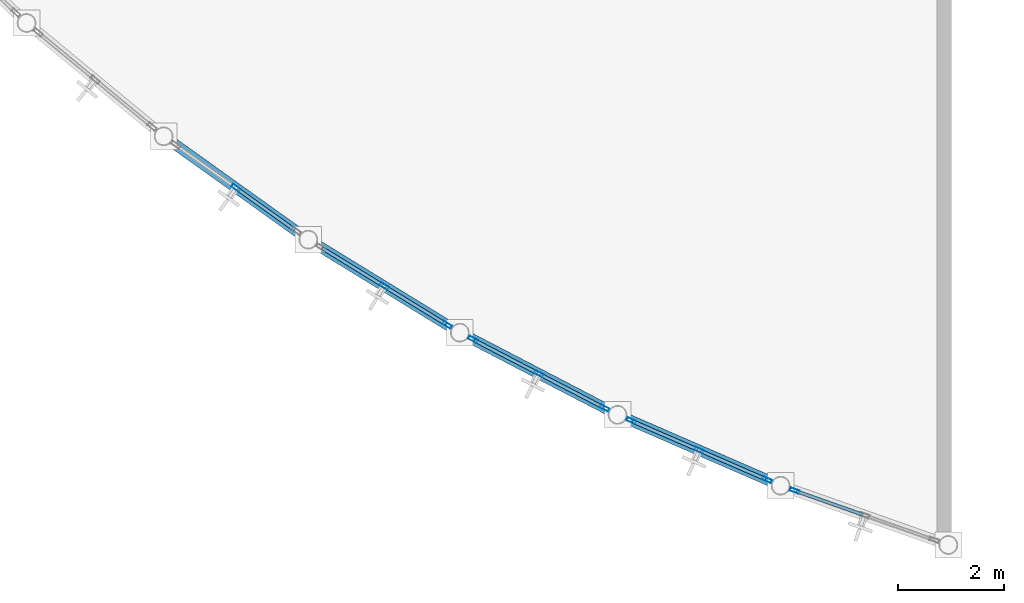
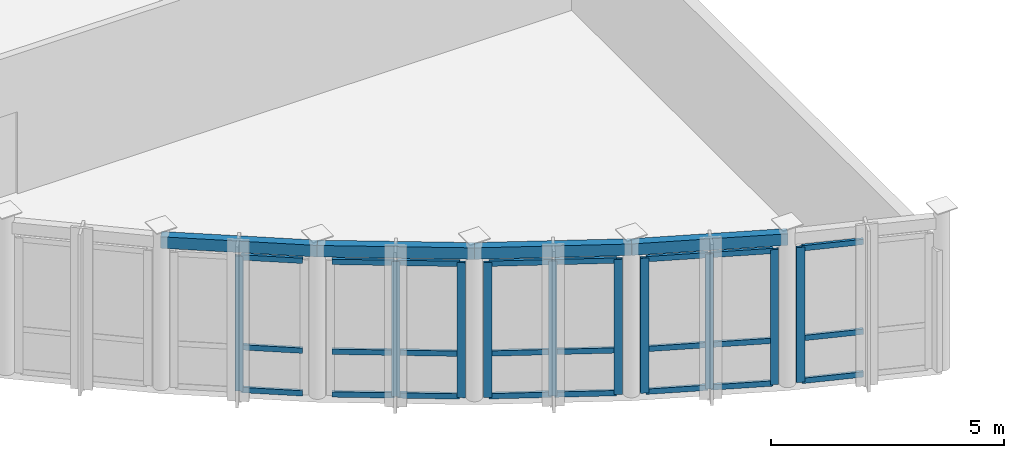
# One storey, part 6 of 26: 34 members, 4 beams, 5 elements without a shape of their own.
"""IFC4 building model written with IfcOpenShell, lengths in metres."""

from ifc_helpers import new_model, si_unit, direction, frame, origin, origin_2d, place, context, subcontext, project, spatial, hollow_rectangle, extrude, material, layer, layer_set, material_profile, profile_set, type_object, element, aggregate, save


model = new_model("IFC4")

# Units and contexts
model_context = context("Model", 3, precision=1e-05, world=origin(), true_north=direction((0.0, 1.0)))
body_context = subcontext(model_context, "Body", "Model", "MODEL_VIEW")
ifc_project = project(units=[si_unit("LENGTHUNIT", "METRE"), si_unit("AREAUNIT", "SQUARE_METRE"), si_unit("VOLUMEUNIT", "CUBIC_METRE"), si_unit("PLANEANGLEUNIT", "RADIAN"), si_unit("MASSUNIT", "GRAM", prefix="KILO")], contexts=[model_context])

# Site, building, storey
site_placement = place(None, origin())
site = spatial("IfcSite", under=ifc_project, at=site_placement, CompositionType="ELEMENT")
building_placement = place(site_placement, origin())
building = spatial("IfcBuilding", under=site, at=building_placement, Name="Selat Folded Stagehouse", CompositionType="ELEMENT")
storey_placement = place(building_placement, frame((0.0, 0.0, 23.39990234375)))
storey = spatial("IfcBuildingStorey", under=building, at=storey_placement, Name="L05", CompositionType="ELEMENT", Elevation=23.39990234375)

# Curtain wall, member
ifc_material_1 = material(Name="Aluminium 6063-T6", Category="aluminium")
ifc_layer = layer(ifc_material_1, 0.18505859375)
ifc_layer_set = layer_set([ifc_layer], Name="Aluminium 6063-T6")
curtain_wall_type = type_object("IfcCurtainWallType", Name="CW-DRM-UPPER", PredefinedType="NOTDEFINED", material=ifc_layer_set)
curtain_wall_1_placement = place(storey_placement, origin())
curtain_wall_1 = element("IfcCurtainWall", 1, at=curtain_wall_1_placement, inside=storey, type_object=curtain_wall_type, Name="L05 curtain wall CW-DRM-L05-15", PredefinedType="NOTDEFINED")
ifc_material_profile_1 = material_profile(ifc_material_1, hollow_rectangle(XDim=0.06494140625, YDim=0.179931640625, WallThickness=0.00390625, at=origin_2d()), Name="ALU 180x65x4.0")
ifc_profile_set_1 = profile_set([ifc_material_profile_1], Name="Aluminium 6063-T6")
member_type_1 = type_object("IfcMemberType", Name="CWM-MUL-180x65", PredefinedType="MULLION", material=ifc_profile_set_1)
member_1_placement = place(storey_placement, frame((20.10400390625, 8.974609375, 0.0), z_axis=(0.0, 0.0, 1.0), x_axis=(-0.581528304836, -0.813526170861, 0.0)))
member_1 = element("IfcMember", 2, at=member_1_placement, type_object=member_type_1, Name="CW-03 mullion 2", PredefinedType="MULLION", context=body_context, shape_type="SweptSolid", body=[
    extrude(hollow_rectangle(XDim=0.06494140625, YDim=0.179931640625, WallThickness=0.00390625, at=origin_2d()), origin(), (0.0, 0.0, 1.0), 3.53515625),
])

# Curtain wall, members
curtain_wall_2_placement = place(storey_placement, origin())
curtain_wall_2 = element("IfcCurtainWall", 3, at=curtain_wall_2_placement, inside=storey, type_object=curtain_wall_type, Name="L05 curtain wall CW-DRM-L05-16", PredefinedType="NOTDEFINED")
member_2_placement = place(storey_placement, frame((24.10498046875, 6.380859375, 0.0), z_axis=(0.0, 0.0, 1.0), x_axis=(-0.523025427755, -0.852317078277, 0.0)))
member_2 = element("IfcMember", 4, at=member_2_placement, type_object=member_type_1, Name="CW-03 mullion 1", PredefinedType="MULLION", context=body_context, shape_type="SweptSolid", body=[
    extrude(hollow_rectangle(XDim=0.06494140625, YDim=0.179931640625, WallThickness=0.00390625, at=origin_2d()), origin(), (0.0, 0.0, 1.0), 3.53515625),
])
member_3_placement = place(storey_placement, frame((22.91015625, 7.114013671875, 0.0), z_axis=(0.0, 0.0, 1.0), x_axis=(-0.523025427755, -0.852317078277, 0.0)))
member_3 = element("IfcMember", 5, at=member_3_placement, type_object=member_type_1, Name="CW-03 mullion 2", PredefinedType="MULLION", context=body_context, shape_type="SweptSolid", body=[
    extrude(hollow_rectangle(XDim=0.06494140625, YDim=0.179931640625, WallThickness=0.00390625, at=origin_2d()), origin(), (0.0, 0.0, 1.0), 3.53515625),
])

curtain_wall_3_placement = place(storey_placement, origin())
curtain_wall_3 = element("IfcCurtainWall", 6, at=curtain_wall_3_placement, inside=storey, type_object=curtain_wall_type, Name="L05 curtain wall CW-DRM-L05-17", PredefinedType="NOTDEFINED")
member_4_placement = place(storey_placement, frame((27.083251953125, 4.80712890625, 0.0), z_axis=(0.0, 0.0, 1.0), x_axis=(-0.461930991659, -0.886915869147, 0.0)))
member_4 = element("IfcMember", 7, at=member_4_placement, type_object=member_type_1, Name="CW-03 mullion 1", PredefinedType="MULLION", context=body_context, shape_type="SweptSolid", body=[
    extrude(hollow_rectangle(XDim=0.06494140625, YDim=0.179931640625, WallThickness=0.00390625, at=origin_2d()), origin(), (0.0, 0.0, 1.0), 3.53515625),
])
member_5_placement = place(storey_placement, frame((25.83984375, 5.454833984375, 0.0), z_axis=(0.0, 0.0, 1.0), x_axis=(-0.461930991659, -0.886915869147, 0.0)))
member_5 = element("IfcMember", 8, at=member_5_placement, type_object=member_type_1, Name="CW-03 mullion 2", PredefinedType="MULLION", context=body_context, shape_type="SweptSolid", body=[
    extrude(hollow_rectangle(XDim=0.06494140625, YDim=0.179931640625, WallThickness=0.00390625, at=origin_2d()), origin(), (0.0, 0.0, 1.0), 3.53515625),
])
member_6_placement = place(storey_placement, frame((24.596435546875, 6.1025390625, 0.0), z_axis=(0.0, 0.0, 1.0), x_axis=(-0.461930991659, -0.886915869147, 0.0)))
member_6 = element("IfcMember", 9, at=member_6_placement, type_object=member_type_1, Name="CW-03 mullion 3", PredefinedType="MULLION", context=body_context, shape_type="SweptSolid", body=[
    extrude(hollow_rectangle(XDim=0.06494140625, YDim=0.179931640625, WallThickness=0.00390625, at=origin_2d()), origin(), (0.0, 0.0, 1.0), 3.53515625),
])

curtain_wall_4_placement = place(storey_placement, origin())
curtain_wall_4 = element("IfcCurtainWall", 10, at=curtain_wall_4_placement, inside=storey, type_object=curtain_wall_type, Name="L05 curtain wall CW-DRM-L05-18", PredefinedType="NOTDEFINED")
member_7_placement = place(storey_placement, frame((30.16455078125, 3.446533203125, 0.0), z_axis=(0.0, 0.0, 1.0), x_axis=(-0.39857953336, -0.917133771915, 0.0)))
member_7 = element("IfcMember", 11, at=member_7_placement, type_object=member_type_1, Name="CW-03 mullion 1", PredefinedType="MULLION", context=body_context, shape_type="SweptSolid", body=[
    extrude(hollow_rectangle(XDim=0.06494140625, YDim=0.179931640625, WallThickness=0.00390625, at=origin_2d()), origin(), (0.0, 0.0, 1.0), 3.53515625),
])
member_8_placement = place(storey_placement, frame((28.878662109375, 4.00537109375, 0.0), z_axis=(0.0, 0.0, 1.0), x_axis=(-0.39857953336, -0.917133771915, 0.0)))
member_8 = element("IfcMember", 12, at=member_8_placement, type_object=member_type_1, Name="CW-03 mullion 2", PredefinedType="MULLION", context=body_context, shape_type="SweptSolid", body=[
    extrude(hollow_rectangle(XDim=0.06494140625, YDim=0.179931640625, WallThickness=0.00390625, at=origin_2d()), origin(), (0.0, 0.0, 1.0), 3.53515625),
])
member_9_placement = place(storey_placement, frame((27.593017578125, 4.56396484375, 0.0), z_axis=(0.0, 0.0, 1.0), x_axis=(-0.39857953336, -0.917133771915, 0.0)))
member_9 = element("IfcMember", 13, at=member_9_placement, type_object=member_type_1, Name="CW-03 mullion 3", PredefinedType="MULLION", context=body_context, shape_type="SweptSolid", body=[
    extrude(hollow_rectangle(XDim=0.06494140625, YDim=0.179931640625, WallThickness=0.00390625, at=origin_2d()), origin(), (0.0, 0.0, 1.0), 3.53515625),
])

# Curtain wall, member
curtain_wall_5_placement = place(storey_placement, origin())
curtain_wall_5 = element("IfcCurtainWall", 14, at=curtain_wall_5_placement, inside=storey, type_object=curtain_wall_type, Name="L05 curtain wall CW-DRM-L05-19", PredefinedType="NOTDEFINED")
member_10_placement = place(storey_placement, frame((30.68994140625, 3.23974609375, 0.0), z_axis=(0.0, 0.0, 1.0), x_axis=(-0.333314148838, -0.942815824106, 0.0)))
member_10 = element("IfcMember", 15, at=member_10_placement, type_object=member_type_1, Name="CW-03 mullion 3", PredefinedType="MULLION", context=body_context, shape_type="SweptSolid", body=[
    extrude(hollow_rectangle(XDim=0.06494140625, YDim=0.179931640625, WallThickness=0.00390625, at=origin_2d()), origin(), (0.0, 0.0, 1.0), 3.53515625),
])

# Member
ifc_material_profile_2 = material_profile(ifc_material_1, hollow_rectangle(XDim=0.06494140625, YDim=0.139892578125, WallThickness=0.00390625, at=origin_2d()), Name="ALU 140x65x4.0")
ifc_profile_set_2 = profile_set([ifc_material_profile_2], Name="Aluminium 6063-T6")
member_type_2 = type_object("IfcMemberType", Name="CWM-TRN-140x65", PredefinedType="USERDEFINED", material=ifc_profile_set_2)
member_11_placement = place(storey_placement, frame((21.218017578125, 8.17822265625, 0.03271484375), z_axis=(-0.813486640015, 0.581583602345, 0.0), x_axis=(-0.581583602345, -0.813486640015, 0.0)))
member_11 = element("IfcMember", 16, at=member_11_placement, type_object=member_type_2, Name="CW-03 transom 1.1", ObjectType="TRANSOM", PredefinedType="USERDEFINED", context=body_context, shape_type="SweptSolid", body=[
    extrude(hollow_rectangle(XDim=0.06494140625, YDim=0.139892578125, WallThickness=0.00390625, at=origin_2d()), origin(), (0.0, 0.0, 1.0), 1.3369140625),
])

member_12_placement = place(storey_placement, frame((21.218017578125, 8.17822265625, 1.150146484375), z_axis=(-0.813486640015, 0.581583602345, 0.0), x_axis=(-0.581583602345, -0.813486640015, 0.0)))
member_12 = element("IfcMember", 17, at=member_12_placement, type_object=member_type_2, Name="CW-03 transom 1.2", ObjectType="TRANSOM", PredefinedType="USERDEFINED", context=body_context, shape_type="SweptSolid", body=[
    extrude(hollow_rectangle(XDim=0.06494140625, YDim=0.139892578125, WallThickness=0.00390625, at=origin_2d()), origin(), (0.0, 0.0, 1.0), 1.3369140625),
])

member_13_placement = place(storey_placement, frame((21.218017578125, 8.17822265625, 3.502685546875), z_axis=(-0.813486640015, 0.581583602345, 0.0), x_axis=(-0.581583602345, -0.813486640015, 0.0)))
member_13 = element("IfcMember", 18, at=member_13_placement, type_object=member_type_2, Name="CW-03 transom 1.3", ObjectType="TRANSOM", PredefinedType="USERDEFINED", context=body_context, shape_type="SweptSolid", body=[
    extrude(hollow_rectangle(XDim=0.06494140625, YDim=0.139892578125, WallThickness=0.00390625, at=origin_2d()), origin(), (0.0, 0.0, 1.0), 1.3369140625),
])

aggregate(curtain_wall_1, [member_1, member_11, member_12, member_13])

member_14_placement = place(storey_placement, frame((24.077392578125, 6.397705078125, 0.03271484375), z_axis=(-0.852278331158, 0.523088564432, 0.0), x_axis=(-0.523088564432, -0.852278331158, 0.0)))
member_14 = element("IfcMember", 19, at=member_14_placement, type_object=member_type_2, Name="CW-03 transom 1.1", ObjectType="TRANSOM", PredefinedType="USERDEFINED", context=body_context, shape_type="SweptSolid", body=[
    extrude(hollow_rectangle(XDim=0.06494140625, YDim=0.139892578125, WallThickness=0.00390625, at=origin_2d()), origin(), (0.0, 0.0, 1.0), 1.337158203125),
])

member_15_placement = place(storey_placement, frame((24.077392578125, 6.397705078125, 1.150146484375), z_axis=(-0.852278331158, 0.523088564432, 0.0), x_axis=(-0.523088564432, -0.852278331158, 0.0)))
member_15 = element("IfcMember", 20, at=member_15_placement, type_object=member_type_2, Name="CW-03 transom 1.2", ObjectType="TRANSOM", PredefinedType="USERDEFINED", context=body_context, shape_type="SweptSolid", body=[
    extrude(hollow_rectangle(XDim=0.06494140625, YDim=0.139892578125, WallThickness=0.00390625, at=origin_2d()), origin(), (0.0, 0.0, 1.0), 1.337158203125),
])

member_16_placement = place(storey_placement, frame((24.077392578125, 6.397705078125, 3.502685546875), z_axis=(-0.852278331158, 0.523088564432, 0.0), x_axis=(-0.523088564432, -0.852278331158, 0.0)))
member_16 = element("IfcMember", 21, at=member_16_placement, type_object=member_type_2, Name="CW-03 transom 1.3", ObjectType="TRANSOM", PredefinedType="USERDEFINED", context=body_context, shape_type="SweptSolid", body=[
    extrude(hollow_rectangle(XDim=0.06494140625, YDim=0.139892578125, WallThickness=0.00390625, at=origin_2d()), origin(), (0.0, 0.0, 1.0), 1.337158203125),
])

member_17_placement = place(storey_placement, frame((22.88232421875, 7.131103515625, 0.03271484375), z_axis=(-0.852309776762, 0.523037326044, 0.0), x_axis=(-0.523037326044, -0.852309776762, 0.0)))
member_17 = element("IfcMember", 22, at=member_17_placement, type_object=member_type_2, Name="CW-03 transom 2.1", ObjectType="TRANSOM", PredefinedType="USERDEFINED", context=body_context, shape_type="SweptSolid", body=[
    extrude(hollow_rectangle(XDim=0.06494140625, YDim=0.139892578125, WallThickness=0.00390625, at=origin_2d()), origin(), (0.0, 0.0, 1.0), 1.3369140625),
])

member_18_placement = place(storey_placement, frame((22.88232421875, 7.131103515625, 1.150146484375), z_axis=(-0.852309776762, 0.523037326044, 0.0), x_axis=(-0.523037326044, -0.852309776762, 0.0)))
member_18 = element("IfcMember", 23, at=member_18_placement, type_object=member_type_2, Name="CW-03 transom 2.2", ObjectType="TRANSOM", PredefinedType="USERDEFINED", context=body_context, shape_type="SweptSolid", body=[
    extrude(hollow_rectangle(XDim=0.06494140625, YDim=0.139892578125, WallThickness=0.00390625, at=origin_2d()), origin(), (0.0, 0.0, 1.0), 1.3369140625),
])

member_19_placement = place(storey_placement, frame((22.88232421875, 7.131103515625, 3.502685546875), z_axis=(-0.852309776762, 0.523037326044, 0.0), x_axis=(-0.523037326044, -0.852309776762, 0.0)))
member_19 = element("IfcMember", 24, at=member_19_placement, type_object=member_type_2, Name="CW-03 transom 2.3", ObjectType="TRANSOM", PredefinedType="USERDEFINED", context=body_context, shape_type="SweptSolid", body=[
    extrude(hollow_rectangle(XDim=0.06494140625, YDim=0.139892578125, WallThickness=0.00390625, at=origin_2d()), origin(), (0.0, 0.0, 1.0), 1.3369140625),
])

aggregate(curtain_wall_2, [member_2, member_3, member_14, member_15, member_16, member_17, member_18, member_19])

member_20_placement = place(storey_placement, frame((27.054443359375, 4.822265625, 0.03271484375), z_axis=(-0.886890704679, 0.461979304681, 0.0), x_axis=(-0.461979304681, -0.886890704679, 0.0)))
member_20 = element("IfcMember", 25, at=member_20_placement, type_object=member_type_2, Name="CW-03 transom 1.1", ObjectType="TRANSOM", PredefinedType="USERDEFINED", context=body_context, shape_type="SweptSolid", body=[
    extrude(hollow_rectangle(XDim=0.06494140625, YDim=0.139892578125, WallThickness=0.00390625, at=origin_2d()), origin(), (0.0, 0.0, 1.0), 1.3369140625),
])

member_21_placement = place(storey_placement, frame((27.054443359375, 4.822265625, 1.150146484375), z_axis=(-0.886890704679, 0.461979304681, 0.0), x_axis=(-0.461979304681, -0.886890704679, 0.0)))
member_21 = element("IfcMember", 26, at=member_21_placement, type_object=member_type_2, Name="CW-03 transom 1.2", ObjectType="TRANSOM", PredefinedType="USERDEFINED", context=body_context, shape_type="SweptSolid", body=[
    extrude(hollow_rectangle(XDim=0.06494140625, YDim=0.139892578125, WallThickness=0.00390625, at=origin_2d()), origin(), (0.0, 0.0, 1.0), 1.3369140625),
])

member_22_placement = place(storey_placement, frame((27.054443359375, 4.822265625, 3.502685546875), z_axis=(-0.886890704679, 0.461979304681, 0.0), x_axis=(-0.461979304681, -0.886890704679, 0.0)))
member_22 = element("IfcMember", 27, at=member_22_placement, type_object=member_type_2, Name="CW-03 transom 1.3", ObjectType="TRANSOM", PredefinedType="USERDEFINED", context=body_context, shape_type="SweptSolid", body=[
    extrude(hollow_rectangle(XDim=0.06494140625, YDim=0.139892578125, WallThickness=0.00390625, at=origin_2d()), origin(), (0.0, 0.0, 1.0), 1.3369140625),
])

member_23_placement = place(storey_placement, frame((25.81103515625, 5.469970703125, 0.03271484375), z_axis=(-0.886965515382, 0.461835657484, 0.0), x_axis=(-0.461835657484, -0.886965515382, 0.0)))
member_23 = element("IfcMember", 28, at=member_23_placement, type_object=member_type_2, Name="CW-03 transom 2.1", ObjectType="TRANSOM", PredefinedType="USERDEFINED", context=body_context, shape_type="SweptSolid", body=[
    extrude(hollow_rectangle(XDim=0.06494140625, YDim=0.139892578125, WallThickness=0.00390625, at=origin_2d()), origin(), (0.0, 0.0, 1.0), 1.3369140625),
])

member_24_placement = place(storey_placement, frame((25.81103515625, 5.469970703125, 1.150146484375), z_axis=(-0.886965515382, 0.461835657484, 0.0), x_axis=(-0.461835657484, -0.886965515382, 0.0)))
member_24 = element("IfcMember", 29, at=member_24_placement, type_object=member_type_2, Name="CW-03 transom 2.2", ObjectType="TRANSOM", PredefinedType="USERDEFINED", context=body_context, shape_type="SweptSolid", body=[
    extrude(hollow_rectangle(XDim=0.06494140625, YDim=0.139892578125, WallThickness=0.00390625, at=origin_2d()), origin(), (0.0, 0.0, 1.0), 1.3369140625),
])

member_25_placement = place(storey_placement, frame((25.81103515625, 5.469970703125, 3.502685546875), z_axis=(-0.886965515382, 0.461835657484, 0.0), x_axis=(-0.461835657484, -0.886965515382, 0.0)))
member_25 = element("IfcMember", 30, at=member_25_placement, type_object=member_type_2, Name="CW-03 transom 2.3", ObjectType="TRANSOM", PredefinedType="USERDEFINED", context=body_context, shape_type="SweptSolid", body=[
    extrude(hollow_rectangle(XDim=0.06494140625, YDim=0.139892578125, WallThickness=0.00390625, at=origin_2d()), origin(), (0.0, 0.0, 1.0), 1.3369140625),
])

aggregate(curtain_wall_3, [member_4, member_5, member_6, member_20, member_21, member_22, member_23, member_24, member_25])

member_26_placement = place(storey_placement, frame((30.134765625, 3.45947265625, 0.03271484375), z_axis=(-0.917197741819, 0.398432305922, 0.0), x_axis=(-0.398432305922, -0.917197741819, 0.0)))
member_26 = element("IfcMember", 31, at=member_26_placement, type_object=member_type_2, Name="CW-03 transom 1.1", ObjectType="TRANSOM", PredefinedType="USERDEFINED", context=body_context, shape_type="SweptSolid", body=[
    extrude(hollow_rectangle(XDim=0.06494140625, YDim=0.139892578125, WallThickness=0.00390625, at=origin_2d()), origin(), (0.0, 0.0, 1.0), 1.3369140625),
])

member_27_placement = place(storey_placement, frame((30.134765625, 3.45947265625, 1.150146484375), z_axis=(-0.917197741819, 0.398432305922, 0.0), x_axis=(-0.398432305922, -0.917197741819, 0.0)))
member_27 = element("IfcMember", 32, at=member_27_placement, type_object=member_type_2, Name="CW-03 transom 1.2", ObjectType="TRANSOM", PredefinedType="USERDEFINED", context=body_context, shape_type="SweptSolid", body=[
    extrude(hollow_rectangle(XDim=0.06494140625, YDim=0.139892578125, WallThickness=0.00390625, at=origin_2d()), origin(), (0.0, 0.0, 1.0), 1.3369140625),
])

member_28_placement = place(storey_placement, frame((30.134765625, 3.45947265625, 3.502685546875), z_axis=(-0.917197741819, 0.398432305922, 0.0), x_axis=(-0.398432305922, -0.917197741819, 0.0)))
member_28 = element("IfcMember", 33, at=member_28_placement, type_object=member_type_2, Name="CW-03 transom 1.3", ObjectType="TRANSOM", PredefinedType="USERDEFINED", context=body_context, shape_type="SweptSolid", body=[
    extrude(hollow_rectangle(XDim=0.06494140625, YDim=0.139892578125, WallThickness=0.00390625, at=origin_2d()), origin(), (0.0, 0.0, 1.0), 1.3369140625),
])

member_29_placement = place(storey_placement, frame((28.848876953125, 4.018310546875, 0.03271484375), z_axis=(-0.91716874716, 0.398499045461, 0.0), x_axis=(-0.398499045461, -0.91716874716, 0.0)))
member_29 = element("IfcMember", 34, at=member_29_placement, type_object=member_type_2, Name="CW-03 transom 2.1", ObjectType="TRANSOM", PredefinedType="USERDEFINED", context=body_context, shape_type="SweptSolid", body=[
    extrude(hollow_rectangle(XDim=0.06494140625, YDim=0.139892578125, WallThickness=0.00390625, at=origin_2d()), origin(), (0.0, 0.0, 1.0), 1.3369140625),
])

member_30_placement = place(storey_placement, frame((28.848876953125, 4.018310546875, 1.150146484375), z_axis=(-0.91716874716, 0.398499045461, 0.0), x_axis=(-0.398499045461, -0.91716874716, 0.0)))
member_30 = element("IfcMember", 35, at=member_30_placement, type_object=member_type_2, Name="CW-03 transom 2.2", ObjectType="TRANSOM", PredefinedType="USERDEFINED", context=body_context, shape_type="SweptSolid", body=[
    extrude(hollow_rectangle(XDim=0.06494140625, YDim=0.139892578125, WallThickness=0.00390625, at=origin_2d()), origin(), (0.0, 0.0, 1.0), 1.3369140625),
])

member_31_placement = place(storey_placement, frame((28.848876953125, 4.018310546875, 3.502685546875), z_axis=(-0.91716874716, 0.398499045461, 0.0), x_axis=(-0.398499045461, -0.91716874716, 0.0)))
member_31 = element("IfcMember", 36, at=member_31_placement, type_object=member_type_2, Name="CW-03 transom 2.3", ObjectType="TRANSOM", PredefinedType="USERDEFINED", context=body_context, shape_type="SweptSolid", body=[
    extrude(hollow_rectangle(XDim=0.06494140625, YDim=0.139892578125, WallThickness=0.00390625, at=origin_2d()), origin(), (0.0, 0.0, 1.0), 1.3369140625),
])

aggregate(curtain_wall_4, [member_7, member_8, member_9, member_26, member_27, member_28, member_29, member_30, member_31])

member_32_placement = place(storey_placement, frame((31.981201171875, 2.783203125, 0.03271484375), z_axis=(-0.942831774674, 0.333269027461, 0.0), x_axis=(-0.333269027461, -0.942831774674, 0.0)))
member_32 = element("IfcMember", 37, at=member_32_placement, type_object=member_type_2, Name="CW-03 transom 2.1", ObjectType="TRANSOM", PredefinedType="USERDEFINED", context=body_context, shape_type="SweptSolid", body=[
    extrude(hollow_rectangle(XDim=0.06494140625, YDim=0.139892578125, WallThickness=0.00390625, at=origin_2d()), origin(), (0.0, 0.0, 1.0), 1.3369140625),
])

member_33_placement = place(storey_placement, frame((31.981201171875, 2.783203125, 1.150146484375), z_axis=(-0.942831774674, 0.333269027461, 0.0), x_axis=(-0.333269027461, -0.942831774674, 0.0)))
member_33 = element("IfcMember", 38, at=member_33_placement, type_object=member_type_2, Name="CW-03 transom 2.2", ObjectType="TRANSOM", PredefinedType="USERDEFINED", context=body_context, shape_type="SweptSolid", body=[
    extrude(hollow_rectangle(XDim=0.06494140625, YDim=0.139892578125, WallThickness=0.00390625, at=origin_2d()), origin(), (0.0, 0.0, 1.0), 1.3369140625),
])

member_34_placement = place(storey_placement, frame((31.981201171875, 2.783203125, 3.502685546875), z_axis=(-0.942831774674, 0.333269027461, 0.0), x_axis=(-0.333269027461, -0.942831774674, 0.0)))
member_34 = element("IfcMember", 39, at=member_34_placement, type_object=member_type_2, Name="CW-03 transom 2.3", ObjectType="TRANSOM", PredefinedType="USERDEFINED", context=body_context, shape_type="SweptSolid", body=[
    extrude(hollow_rectangle(XDim=0.06494140625, YDim=0.139892578125, WallThickness=0.00390625, at=origin_2d()), origin(), (0.0, 0.0, 1.0), 1.3369140625),
])

aggregate(curtain_wall_5, [member_10, member_32, member_33, member_34])

# Beams
ifc_material_2 = material(Name="Steel S355", Category="steel")
ifc_material_profile_3 = material_profile(ifc_material_2, hollow_rectangle(XDim=0.199951171875, YDim=0.300048828125, WallThickness=0.012451171875, at=origin_2d()), Name="RHS 300x200x12.5")
ifc_profile_set_3 = profile_set([ifc_material_profile_3], Name="Steel S355")
beam_type = type_object("IfcBeamType", Name="SPD-RHS-300x200", PredefinedType="SPANDREL", material=ifc_profile_set_3)
for number, where, z_axis, x_axis, name in (
    (40, (18.733642578125, 9.954345703125, 3.8251953125), (0.813513074284, -0.581546625791, 0.0), (0.581546625791, 0.813513074284, 0.0), "L05 curved drum spandrel beam 16"),
    (41, (21.474365234375, 7.9951171875, 3.8251953125), (0.852289688317, -0.523070059542, 0.0), (0.523070059542, 0.852289688317, 0.0), "L05 curved drum spandrel beam 17"),
    (42, (24.345703125, 6.23291015625, 3.8251953125), (0.886928310017, -0.461907104179, 0.0), (0.461907104179, 0.886928310017, 0.0), "L05 curved drum spandrel beam 18"),
):
    element("IfcBeam", number, at=place(storey_placement, frame(where, z_axis=z_axis, x_axis=x_axis)), inside=storey, type_object=beam_type, Name=name, PredefinedType="SPANDREL", context=body_context, shape_type="SweptSolid", body=[
        extrude(hollow_rectangle(XDim=0.199951171875, YDim=0.300048828125, WallThickness=0.012451171875, at=origin_2d()), origin(), (0.0, 0.0, 1.0), 3.368896484375),
    ])
beam_placement = place(storey_placement, frame((27.333740234375, 4.6767578125, 3.8251953125), z_axis=(0.91711267728, -0.39862806872, 0.0), x_axis=(0.39862806872, 0.91711267728, 0.0)))
element("IfcBeam", 43, at=beam_placement, inside=storey, type_object=beam_type, Name="L05 curved drum spandrel beam 19", PredefinedType="SPANDREL", context=body_context, shape_type="SweptSolid", body=[
    extrude(hollow_rectangle(XDim=0.199951171875, YDim=0.300048828125, WallThickness=0.012451171875, at=origin_2d()), origin(), (0.0, 0.0, 1.0), 3.369140625),
])

save(model, "model.ifc")
